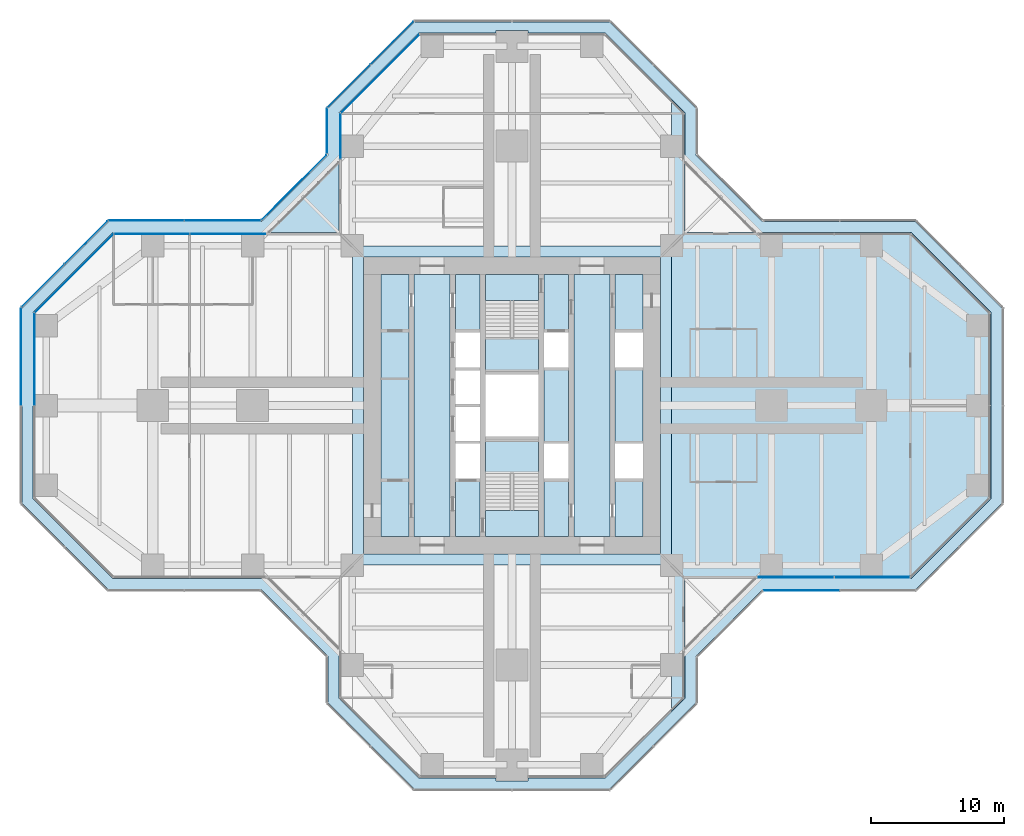
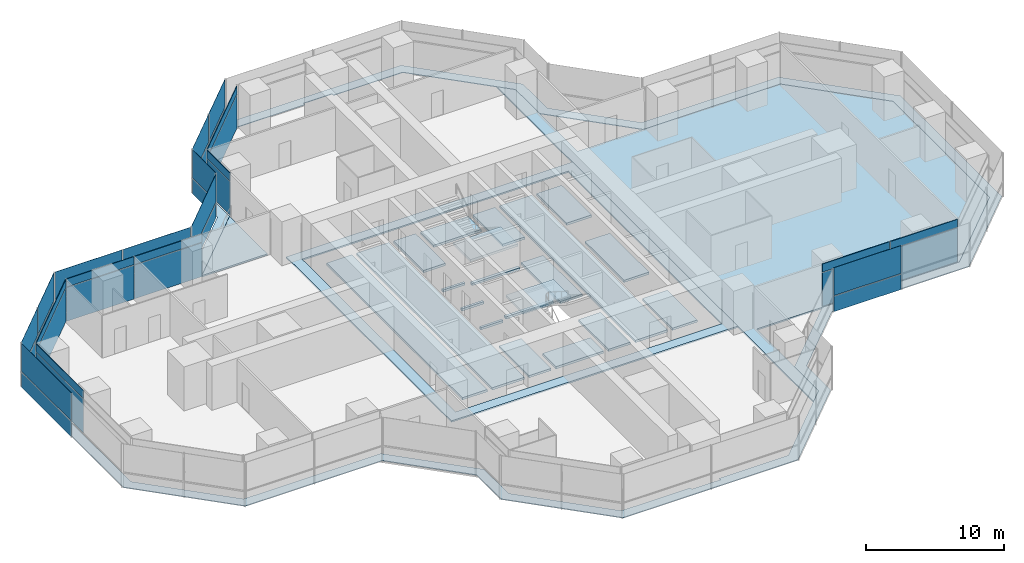
# One storey, part 13 of 19: 37 plates, 8 slabs, 15 elements without a shape of their own.
"""IFC4 building model written with IfcOpenShell, lengths in metres."""

from ifc_helpers import new_model, si_unit, direction, frame, origin, origin_2d, place, context, subcontext, project, spatial, polyline, rectangle, outline, extrude, material, layer, layer_set, type_object, element, aggregate, save


model = new_model("IFC4")

# Units and contexts
model_context = context("Model", 3, precision=1e-05, world=origin(), true_north=direction((0.0, 1.0)))
body_context = subcontext(model_context, "Body", "Model", "MODEL_VIEW")
ifc_project = project(units=[si_unit("LENGTHUNIT", "METRE"), si_unit("AREAUNIT", "SQUARE_METRE"), si_unit("VOLUMEUNIT", "CUBIC_METRE"), si_unit("PLANEANGLEUNIT", "RADIAN"), si_unit("MASSUNIT", "GRAM", prefix="KILO")], contexts=[model_context])

# Site, building, storey
site_placement = place(None, origin())
site = spatial("IfcSite", under=ifc_project, at=site_placement, CompositionType="ELEMENT")
building_placement = place(site_placement, origin())
building = spatial("IfcBuilding", under=site, at=building_placement, Name="Mizan Broadcast Tower", CompositionType="ELEMENT")
storey_placement = place(building_placement, frame((0.0, 0.0, 163.199951171875)))
storey = spatial("IfcBuildingStorey", under=building, at=storey_placement, Name="L37", CompositionType="ELEMENT", Elevation=163.199951171875)

# Plate
ifc_material_1 = material(Name="Aluminium grating", Category="aluminium")
ifc_layer_1 = layer(ifc_material_1, 0.050048828125)
ifc_layer_set_1 = layer_set([ifc_layer_1], Name="Aluminium grating")
plate_type_1 = type_object("IfcPlateType", Name="CAVITY GRATING", PredefinedType="USERDEFINED", material=ifc_layer_set_1)
plate_1_placement = place(storey_placement, frame((0.0, 0.0, -0.050048828125)))
element("IfcPlate", 1, at=plate_1_placement, inside=storey, type_object=plate_type_1, Name="Cavity grating L37", ObjectType="GRATING", PredefinedType="USERDEFINED", context=body_context, shape_type="SweptSolid", body=[
    extrude(outline(polyline([(13.820068359375, -18.839599609375), (18.839599609375, -13.820068359375), (30.339599609375, -13.820068359375), (36.820068359375, -7.339599609375), (36.820068359375, 7.339599609375), (30.339599609375, 13.820068359375), (18.839599609375, 13.820068359375), (13.820068359375, 18.839599609375), (13.820068359375, 22.339599609375), (7.339599609375, 28.820068359375), (-7.339599609375, 28.820068359375), (-13.820068359375, 22.339599609375), (-13.820068359375, 18.839599609375), (-18.839599609375, 13.820068359375), (-30.339599609375, 13.820068359375), (-36.820068359375, 7.339599609375), (-36.820068359375, -7.339599609375), (-30.339599609375, -13.820068359375), (-18.839599609375, -13.820068359375), (-13.820068359375, -18.839599609375), (-13.820068359375, -22.339599609375), (-7.339599609375, -28.820068359375), (7.339599609375, -28.820068359375), (13.820068359375, -22.339599609375), (13.820068359375, -18.839599609375)]), holes=[polyline([(36.0, 7.0), (36.0, -7.0), (30.0, -13.0), (18.5, -13.0), (13.0, -18.5), (13.0, -22.0), (7.0, -28.0), (1.199951171875, -28.0), (1.199951171875, -28.199951171875), (-1.199951171875, -28.199951171875), (-1.199951171875, -28.0), (-7.0, -28.0), (-13.0, -22.0), (-13.0, -18.5), (-18.5, -13.0), (-30.0, -13.0), (-36.0, -7.0), (-36.0, 7.0), (-30.0, 13.0), (-18.5, 13.0), (-13.0, 18.5), (-13.0, 22.0), (-7.0, 28.0), (-1.199951171875, 28.0), (-1.199951171875, 28.199951171875), (1.199951171875, 28.199951171875), (1.199951171875, 28.0), (7.0, 28.0), (13.0, 22.0), (13.0, 18.5), (18.5, 13.0), (30.0, 13.0), (36.0, 7.0)])]), origin(), (0.0, 0.0, 1.0), 0.050048828125),
])

# Slabs
ifc_material_2 = material(Name="Concrete C32/40", Category="concrete")
ifc_layer_2 = layer(ifc_material_2, 0.1298828125)
ifc_layer_set_2 = layer_set([ifc_layer_2], Name="Concrete C32/40")
slab_type_1 = type_object("IfcSlabType", Name="COMPOSITE DECK SLAB 130", PredefinedType="FLOOR", material=ifc_layer_set_2)
slab_1_placement = place(storey_placement, frame((0.0, 0.0, -0.1298828125)))
element("IfcSlab", 2, at=slab_1_placement, inside=storey, type_object=slab_type_1, Name="Floor slab L37 centre", PredefinedType="FLOOR", context=body_context, shape_type="SweptSolid", body=[
    extrude(outline(polyline([(-12.0, -12.0), (12.0, -12.0), (12.0, 12.0), (-12.0, 12.0), (-12.0, -12.0)]), holes=[polyline([(-11.14990234375, 11.14990234375), (11.14990234375, 11.14990234375), (11.14990234375, -11.14990234375), (-11.14990234375, -11.14990234375), (-11.14990234375, 11.14990234375)])]), origin(), (0.0, 0.0, 1.0), 0.1298828125),
])
slab_2_placement = place(storey_placement, frame((0.0, 0.0, -0.1298828125)))
element("IfcSlab", 3, at=slab_2_placement, inside=storey, type_object=slab_type_1, Name="Floor slab L37 east arm", PredefinedType="FLOOR", context=body_context, shape_type="SweptSolid", body=[
    extrude(outline(polyline([(12.0, -23.0), (13.0, -22.0), (13.0, -13.0), (30.0, -13.0), (36.0, -7.0), (36.0, 7.0), (30.0, 13.0), (13.0, 13.0), (13.0, 22.0), (12.0, 23.0), (12.0, -23.0)])), origin(), (0.0, 0.0, 1.0), 0.1298828125),
])
ifc_material_3 = material(Name="Concrete C40/50", Category="concrete")
ifc_layer_3 = layer(ifc_material_3, 0.199951171875)
ifc_layer_set_3 = layer_set([ifc_layer_3], Name="Concrete C40/50")
slab_type_2 = type_object("IfcSlabType", Name="CORE FLOOR 200", PredefinedType="FLOOR", material=ifc_layer_set_3)
slab_3_placement = place(storey_placement, frame((0.0, 0.0, -0.199951171875)))
element("IfcSlab", 4, at=slab_3_placement, inside=storey, type_object=slab_type_2, Name="Core floor L37", PredefinedType="FLOOR", context=body_context, shape_type="SweptSolid", body=[
    extrude(outline(polyline([(-9.85009765625, -9.85009765625), (-7.75, -9.85009765625), (-7.75, 9.85009765625), (-9.85009765625, 9.85009765625), (-9.85009765625, -9.85009765625)])), origin(), (0.0, 0.0, 1.0), 0.199951171875),
    extrude(outline(polyline([(-4.64990234375, 9.85009765625), (-7.35009765625, 9.85009765625), (-7.35009765625, -9.85009765625), (-4.64990234375, -9.85009765625), (-4.64990234375, 9.85009765625)])), origin(), (0.0, 0.0, 1.0), 0.199951171875),
    extrude(outline(polyline([(-4.25, -5.5), (-4.25, -9.85009765625), (-2.39990234375, -9.85009765625), (-2.39990234375, -5.5), (-4.25, -5.5)])), origin(), (0.0, 0.0, 1.0), 0.199951171875),
    extrude(outline(polyline([(-4.25, -2.85009765625), (-2.39990234375, -2.85009765625), (-2.39990234375, -2.64990234375), (-4.25, -2.64990234375), (-4.25, -2.85009765625)])), origin(), (0.0, 0.0, 1.0), 0.199951171875),
    extrude(outline(polyline([(-4.25, -0.10009765625), (-2.39990234375, -0.10009765625), (-2.39990234375, 0.10009765625), (-4.25, 0.10009765625), (-4.25, -0.10009765625)])), origin(), (0.0, 0.0, 1.0), 0.199951171875),
    extrude(outline(polyline([(-4.25, 2.64990234375), (-2.39990234375, 2.64990234375), (-2.39990234375, 2.85009765625), (-4.25, 2.85009765625), (-4.25, 2.64990234375)])), origin(), (0.0, 0.0, 1.0), 0.199951171875),
    extrude(outline(polyline([(-4.25, 5.5), (-2.39990234375, 5.5), (-2.39990234375, 9.85009765625), (-4.25, 9.85009765625), (-4.25, 5.5)])), origin(), (0.0, 0.0, 1.0), 0.199951171875),
    extrude(outline(polyline([(2.0, -2.324951171875), (-2.0, -2.324951171875), (-2.0, -2.574951171875), (2.0, -2.574951171875), (2.0, -2.324951171875)])), origin(), (0.0, 0.0, 1.0), 0.199951171875),
    extrude(outline(polyline([(2.0, 2.574951171875), (-2.0, 2.574951171875), (-2.0, 2.324951171875), (2.0, 2.324951171875), (2.0, 2.574951171875)])), origin(), (0.0, 0.0, 1.0), 0.199951171875),
    extrude(outline(polyline([(4.25, -9.85009765625), (4.25, -5.5), (2.39990234375, -5.5), (2.39990234375, -9.85009765625), (4.25, -9.85009765625)])), origin(), (0.0, 0.0, 1.0), 0.199951171875),
    extrude(outline(polyline([(4.25, -2.85009765625), (4.25, 2.85009765625), (2.39990234375, 2.85009765625), (2.39990234375, -2.85009765625), (4.25, -2.85009765625)])), origin(), (0.0, 0.0, 1.0), 0.199951171875),
    extrude(outline(polyline([(4.25, 5.5), (4.25, 9.85009765625), (2.39990234375, 9.85009765625), (2.39990234375, 5.5), (4.25, 5.5)])), origin(), (0.0, 0.0, 1.0), 0.199951171875),
    extrude(outline(polyline([(4.64990234375, 9.85009765625), (4.64990234375, -9.85009765625), (7.35009765625, -9.85009765625), (7.35009765625, 9.85009765625), (4.64990234375, 9.85009765625)])), origin(), (0.0, 0.0, 1.0), 0.199951171875),
    extrude(outline(polyline([(9.85009765625, -9.85009765625), (9.85009765625, -5.5), (7.75, -5.5), (7.75, -9.85009765625), (9.85009765625, -9.85009765625)])), origin(), (0.0, 0.0, 1.0), 0.199951171875),
    extrude(outline(polyline([(7.75, -2.85009765625), (9.85009765625, -2.85009765625), (9.85009765625, 2.85009765625), (7.75, 2.85009765625), (7.75, -2.85009765625)])), origin(), (0.0, 0.0, 1.0), 0.199951171875),
    extrude(outline(polyline([(9.85009765625, 5.5), (9.85009765625, 9.85009765625), (7.75, 9.85009765625), (7.75, 5.5), (9.85009765625, 5.5)])), origin(), (0.0, 0.0, 1.0), 0.199951171875),
])

# Curtain wall, plates
ifc_material_4 = material(Name="Aluminium framed glazing", Category="aluminium")
curtain_wall_type_1 = type_object("IfcCurtainWallType", Name="INNER SKIN MID ZONE", PredefinedType="USERDEFINED", material=ifc_material_4)
curtain_wall_1_placement = place(storey_placement, origin())
curtain_wall_1 = element("IfcCurtainWall", 5, at=curtain_wall_1_placement, inside=storey, type_object=curtain_wall_type_1, Name="Inner skin mid zone L37 E side", ObjectType="INNER SKIN MID ZONE", PredefinedType="USERDEFINED")
ifc_material_5 = material(Name="Double glazing, clear low-e", Category="glass")
ifc_layer_4 = layer(ifc_material_5, 0.028076171875)
ifc_layer_set_4 = layer_set([ifc_layer_4], Name="Double glazing, clear low-e")
plate_type_2 = type_object("IfcPlateType", Name="INNER SKIN GLAZING UNIT", PredefinedType="CURTAIN_PANEL", material=ifc_layer_set_4)
plate_2_placement = place(storey_placement, frame((21.379638671875, -12.89990234375, 0.0), z_axis=(0.0, 0.0, 1.0), x_axis=(1.0, 0.0, 0.0)))
plate_2 = element("IfcPlate", 6, at=plate_2_placement, type_object=plate_type_2, Name="Inner skin mid zone L37 E side panel 1.1", PredefinedType="CURTAIN_PANEL", context=body_context, shape_type="SweptSolid", body=[
    extrude(rectangle(XDim=5.639404296875, YDim=0.028076171875, at=origin_2d()), origin(), (0.0, 0.0, 1.0), 3.0),
])
plate_3_placement = place(storey_placement, frame((27.078857421875, -12.89990234375, 0.0), z_axis=(0.0, 0.0, 1.0), x_axis=(1.0, 0.0, 0.0)))
plate_3 = element("IfcPlate", 7, at=plate_3_placement, type_object=plate_type_2, Name="Inner skin mid zone L37 E side panel 2.1", PredefinedType="CURTAIN_PANEL", context=body_context, shape_type="SweptSolid", body=[
    extrude(rectangle(XDim=5.639404296875, YDim=0.028076171875, at=origin_2d()), origin(), (0.0, 0.0, 1.0), 3.0),
])

# Curtain wall, plate
curtain_wall_2_placement = place(storey_placement, origin())
curtain_wall_2 = element("IfcCurtainWall", 8, at=curtain_wall_2_placement, inside=storey, type_object=curtain_wall_type_1, Name="Inner skin mid zone L37 N chamfer", ObjectType="INNER SKIN MID ZONE", PredefinedType="USERDEFINED")
plate_4_placement = place(storey_placement, frame((-9.92919921875, 24.92919921875, 0.0), z_axis=(0.0, 0.0, 1.0), x_axis=(-0.707106781187, -0.707106781187, 0.0)))
plate_4 = element("IfcPlate", 9, at=plate_4_placement, type_object=plate_type_2, Name="Inner skin mid zone L37 N chamfer panel 1.1", PredefinedType="CURTAIN_PANEL", context=body_context, shape_type="SweptSolid", body=[
    extrude(rectangle(XDim=8.282470703125, YDim=0.028076171875, at=origin_2d()), origin(), (0.0, 0.0, 1.0), 3.0),
])

curtain_wall_3_placement = place(storey_placement, origin())
curtain_wall_3 = element("IfcCurtainWall", 10, at=curtain_wall_3_placement, inside=storey, type_object=curtain_wall_type_1, Name="Inner skin mid zone L37 N side", ObjectType="INNER SKIN MID ZONE", PredefinedType="USERDEFINED")
plate_5_placement = place(storey_placement, frame((-12.89990234375, 20.229248046875, 0.0), z_axis=(0.0, 0.0, 1.0), x_axis=(0.0, -1.0, 0.0)))
plate_5 = element("IfcPlate", 11, at=plate_5_placement, type_object=plate_type_2, Name="Inner skin mid zone L37 N side panel 1.1", PredefinedType="CURTAIN_PANEL", context=body_context, shape_type="SweptSolid", body=[
    extrude(rectangle(XDim=3.338623046875, YDim=0.028076171875, at=origin_2d()), origin(), (0.0, 0.0, 1.0), 3.0),
])

# Curtain wall, plates
curtain_wall_4_placement = place(storey_placement, origin())
curtain_wall_4 = element("IfcCurtainWall", 12, at=curtain_wall_4_placement, inside=storey, type_object=curtain_wall_type_1, Name="Inner skin mid zone L37 W side", ObjectType="INNER SKIN MID ZONE", PredefinedType="USERDEFINED")
plate_6_placement = place(storey_placement, frame((-21.379638671875, 12.89990234375, 0.0), z_axis=(0.0, 0.0, 1.0), x_axis=(-1.0, 0.0, 0.0)))
plate_6 = element("IfcPlate", 13, at=plate_6_placement, type_object=plate_type_2, Name="Inner skin mid zone L37 W side panel 1.1", PredefinedType="CURTAIN_PANEL", context=body_context, shape_type="SweptSolid", body=[
    extrude(rectangle(XDim=5.639404296875, YDim=0.028076171875, at=origin_2d()), origin(), (0.0, 0.0, 1.0), 3.0),
])
plate_7_placement = place(storey_placement, frame((-27.078857421875, 12.89990234375, 0.0), z_axis=(0.0, 0.0, 1.0), x_axis=(-1.0, 0.0, 0.0)))
plate_7 = element("IfcPlate", 14, at=plate_7_placement, type_object=plate_type_2, Name="Inner skin mid zone L37 W side panel 2.1", PredefinedType="CURTAIN_PANEL", context=body_context, shape_type="SweptSolid", body=[
    extrude(rectangle(XDim=5.639404296875, YDim=0.028076171875, at=origin_2d()), origin(), (0.0, 0.0, 1.0), 3.0),
])

# Curtain wall, plate
curtain_wall_5_placement = place(storey_placement, origin())
curtain_wall_5 = element("IfcCurtainWall", 15, at=curtain_wall_5_placement, inside=storey, type_object=curtain_wall_type_1, Name="Inner skin mid zone L37 W chamfer", ObjectType="INNER SKIN MID ZONE", PredefinedType="USERDEFINED")
plate_8_placement = place(storey_placement, frame((-32.92919921875, 9.92919921875, 0.0), z_axis=(0.0, 0.0, 1.0), x_axis=(-0.707106781187, -0.707106781187, 0.0)))
plate_8 = element("IfcPlate", 16, at=plate_8_placement, type_object=plate_type_2, Name="Inner skin mid zone L37 W chamfer panel 1.1", PredefinedType="CURTAIN_PANEL", context=body_context, shape_type="SweptSolid", body=[
    extrude(rectangle(XDim=8.282470703125, YDim=0.028076171875, at=origin_2d()), origin(), (0.0, 0.0, 1.0), 3.0),
])

curtain_wall_6_placement = place(storey_placement, origin())
curtain_wall_6 = element("IfcCurtainWall", 17, at=curtain_wall_6_placement, inside=storey, type_object=curtain_wall_type_1, Name="Inner skin mid zone L37 W end", ObjectType="INNER SKIN MID ZONE", PredefinedType="USERDEFINED")
plate_9_placement = place(storey_placement, frame((-35.89990234375, 3.46435546875, 0.0), z_axis=(0.0, 0.0, 1.0), x_axis=(0.0, -1.0, 0.0)))
plate_9 = element("IfcPlate", 18, at=plate_9_placement, type_object=plate_type_2, Name="Inner skin mid zone L37 W end panel 1.1", PredefinedType="CURTAIN_PANEL", context=body_context, shape_type="SweptSolid", body=[
    extrude(rectangle(XDim=6.86865234375, YDim=0.028076171875, at=origin_2d()), origin(), (0.0, 0.0, 1.0), 3.0),
])

# Plate
ifc_material_6 = material(Name="Insulated aluminium spandrel panel, pale anodised", Category="aluminium")
ifc_layer_5 = layer(ifc_material_6, 0.050048828125)
ifc_layer_set_5 = layer_set([ifc_layer_5], Name="Insulated aluminium spandrel panel, pale anodised")
plate_type_3 = type_object("IfcPlateType", Name="INNER SKIN SPANDREL PANEL", PredefinedType="CURTAIN_PANEL", material=ifc_layer_set_5)
plate_10_placement = place(storey_placement, frame((21.379638671875, -12.89990234375, 3.06005859375), z_axis=(0.0, 0.0, 1.0), x_axis=(1.0, 0.0, 0.0)))
plate_10 = element("IfcPlate", 19, at=plate_10_placement, type_object=plate_type_3, Name="Inner skin mid zone L37 E side panel 1.2", PredefinedType="CURTAIN_PANEL", context=body_context, shape_type="SweptSolid", body=[
    extrude(rectangle(XDim=5.639404296875, YDim=0.050048828125, at=origin_2d()), origin(), (0.0, 0.0, 1.0), 0.7099609375),
])

plate_11_placement = place(storey_placement, frame((27.078857421875, -12.89990234375, 3.06005859375), z_axis=(0.0, 0.0, 1.0), x_axis=(1.0, 0.0, 0.0)))
plate_11 = element("IfcPlate", 20, at=plate_11_placement, type_object=plate_type_3, Name="Inner skin mid zone L37 E side panel 2.2", PredefinedType="CURTAIN_PANEL", context=body_context, shape_type="SweptSolid", body=[
    extrude(rectangle(XDim=5.639404296875, YDim=0.050048828125, at=origin_2d()), origin(), (0.0, 0.0, 1.0), 0.7099609375),
])

aggregate(curtain_wall_1, [plate_2, plate_10, plate_3, plate_11])

plate_12_placement = place(storey_placement, frame((-9.92919921875, 24.92919921875, 3.06005859375), z_axis=(0.0, 0.0, 1.0), x_axis=(-0.707106781187, -0.707106781187, 0.0)))
plate_12 = element("IfcPlate", 21, at=plate_12_placement, type_object=plate_type_3, Name="Inner skin mid zone L37 N chamfer panel 1.2", PredefinedType="CURTAIN_PANEL", context=body_context, shape_type="SweptSolid", body=[
    extrude(rectangle(XDim=8.282470703125, YDim=0.050048828125, at=origin_2d()), origin(), (0.0, 0.0, 1.0), 0.7099609375),
])

aggregate(curtain_wall_2, [plate_4, plate_12])

plate_13_placement = place(storey_placement, frame((-12.89990234375, 20.229248046875, 3.06005859375), z_axis=(0.0, 0.0, 1.0), x_axis=(0.0, -1.0, 0.0)))
plate_13 = element("IfcPlate", 22, at=plate_13_placement, type_object=plate_type_3, Name="Inner skin mid zone L37 N side panel 1.2", PredefinedType="CURTAIN_PANEL", context=body_context, shape_type="SweptSolid", body=[
    extrude(rectangle(XDim=3.338623046875, YDim=0.050048828125, at=origin_2d()), origin(), (0.0, 0.0, 1.0), 0.7099609375),
])

aggregate(curtain_wall_3, [plate_5, plate_13])

plate_14_placement = place(storey_placement, frame((-21.379638671875, 12.89990234375, 3.06005859375), z_axis=(0.0, 0.0, 1.0), x_axis=(-1.0, 0.0, 0.0)))
plate_14 = element("IfcPlate", 23, at=plate_14_placement, type_object=plate_type_3, Name="Inner skin mid zone L37 W side panel 1.2", PredefinedType="CURTAIN_PANEL", context=body_context, shape_type="SweptSolid", body=[
    extrude(rectangle(XDim=5.639404296875, YDim=0.050048828125, at=origin_2d()), origin(), (0.0, 0.0, 1.0), 0.7099609375),
])

plate_15_placement = place(storey_placement, frame((-27.078857421875, 12.89990234375, 3.06005859375), z_axis=(0.0, 0.0, 1.0), x_axis=(-1.0, 0.0, 0.0)))
plate_15 = element("IfcPlate", 24, at=plate_15_placement, type_object=plate_type_3, Name="Inner skin mid zone L37 W side panel 2.2", PredefinedType="CURTAIN_PANEL", context=body_context, shape_type="SweptSolid", body=[
    extrude(rectangle(XDim=5.639404296875, YDim=0.050048828125, at=origin_2d()), origin(), (0.0, 0.0, 1.0), 0.7099609375),
])

aggregate(curtain_wall_4, [plate_6, plate_14, plate_7, plate_15])

plate_16_placement = place(storey_placement, frame((-32.92919921875, 9.92919921875, 3.06005859375), z_axis=(0.0, 0.0, 1.0), x_axis=(-0.707106781187, -0.707106781187, 0.0)))
plate_16 = element("IfcPlate", 25, at=plate_16_placement, type_object=plate_type_3, Name="Inner skin mid zone L37 W chamfer panel 1.2", PredefinedType="CURTAIN_PANEL", context=body_context, shape_type="SweptSolid", body=[
    extrude(rectangle(XDim=8.282470703125, YDim=0.050048828125, at=origin_2d()), origin(), (0.0, 0.0, 1.0), 0.7099609375),
])

aggregate(curtain_wall_5, [plate_8, plate_16])

plate_17_placement = place(storey_placement, frame((-35.89990234375, 3.46435546875, 3.06005859375), z_axis=(0.0, 0.0, 1.0), x_axis=(0.0, -1.0, 0.0)))
plate_17 = element("IfcPlate", 26, at=plate_17_placement, type_object=plate_type_3, Name="Inner skin mid zone L37 W end panel 1.2", PredefinedType="CURTAIN_PANEL", context=body_context, shape_type="SweptSolid", body=[
    extrude(rectangle(XDim=6.86865234375, YDim=0.050048828125, at=origin_2d()), origin(), (0.0, 0.0, 1.0), 0.7099609375),
])

aggregate(curtain_wall_6, [plate_9, plate_17])

# Curtain wall, plates
ifc_material_7 = material(Name="Aluminium framed glazing", Category="aluminium")
curtain_wall_type_2 = type_object("IfcCurtainWallType", Name="OUTER SKIN", PredefinedType="USERDEFINED", material=ifc_material_7)
curtain_wall_7_placement = place(storey_placement, origin())
curtain_wall_7 = element("IfcCurtainWall", 27, at=curtain_wall_7_placement, inside=storey, type_object=curtain_wall_type_2, Name="Outer skin L37 N chamfer", ObjectType="OUTER SKIN", PredefinedType="USERDEFINED")
ifc_material_8 = material(Name="Laminated clear glass", Category="glass")
ifc_layer_6 = layer(ifc_material_8, 0.02001953125)
ifc_layer_set_6 = layer_set([ifc_layer_6], Name="Laminated clear glass")
plate_type_4 = type_object("IfcPlateType", Name="OUTER SKIN CLEAR GLASS", PredefinedType="CURTAIN_PANEL", material=ifc_layer_set_6)
plate_18_placement = place(storey_placement, frame((-9.018798828125, 27.254150390625, 0.0), z_axis=(0.0, 0.0, 1.0), x_axis=(-0.707106781187, -0.707106781187, 0.0)))
plate_18 = element("IfcPlate", 28, at=plate_18_placement, type_object=plate_type_4, Name="Outer skin L37 N chamfer panel 1.1", PredefinedType="CURTAIN_PANEL", context=body_context, shape_type="SweptSolid", body=[
    extrude(rectangle(XDim=4.495361328125, YDim=0.02001953125, at=origin_2d()), origin(), (0.0, 0.0, 1.0), 1.3701171875),
])
plate_19_placement = place(storey_placement, frame((-9.018798828125, 27.254150390625, 1.43017578125), z_axis=(0.0, 0.0, 1.0), x_axis=(-0.707106781187, -0.707106781187, 0.0)))
plate_19 = element("IfcPlate", 29, at=plate_19_placement, type_object=plate_type_4, Name="Outer skin L37 N chamfer panel 1.2", PredefinedType="CURTAIN_PANEL", context=body_context, shape_type="SweptSolid", body=[
    extrude(rectangle(XDim=4.495361328125, YDim=0.02001953125, at=origin_2d()), origin(), (0.0, 0.0, 1.0), 2.469970703125),
])

curtain_wall_8_placement = place(storey_placement, origin())
curtain_wall_8 = element("IfcCurtainWall", 30, at=curtain_wall_8_placement, inside=storey, type_object=curtain_wall_type_2, Name="Outer skin L37 N side", ObjectType="OUTER SKIN", PredefinedType="USERDEFINED")
plate_20_placement = place(storey_placement, frame((-13.89990234375, 20.622802734375, 0.0), z_axis=(0.0, 0.0, 1.0), x_axis=(0.0, -1.0, 0.0)))
plate_20 = element("IfcPlate", 31, at=plate_20_placement, type_object=plate_type_4, Name="Outer skin L37 N side panel 1.1", PredefinedType="CURTAIN_PANEL", context=body_context, shape_type="SweptSolid", body=[
    extrude(rectangle(XDim=3.340087890625, YDim=0.02001953125, at=origin_2d()), origin(), (0.0, 0.0, 1.0), 1.3701171875),
])
plate_21_placement = place(storey_placement, frame((-13.89990234375, 20.622802734375, 1.43017578125), z_axis=(0.0, 0.0, 1.0), x_axis=(0.0, -1.0, 0.0)))
plate_21 = element("IfcPlate", 32, at=plate_21_placement, type_object=plate_type_4, Name="Outer skin L37 N side panel 1.2", PredefinedType="CURTAIN_PANEL", context=body_context, shape_type="SweptSolid", body=[
    extrude(rectangle(XDim=3.340087890625, YDim=0.02001953125, at=origin_2d()), origin(), (0.0, 0.0, 1.0), 2.469970703125),
])
aggregate(curtain_wall_8, [plate_20, plate_21])

curtain_wall_9_placement = place(storey_placement, origin())
curtain_wall_9 = element("IfcCurtainWall", 33, at=curtain_wall_9_placement, inside=storey, type_object=curtain_wall_type_2, Name="Outer skin L37 W chamfer", ObjectType="OUTER SKIN", PredefinedType="USERDEFINED")
plate_22_placement = place(storey_placement, frame((-16.386474609375, 16.386474609375, 0.0), z_axis=(0.0, 0.0, 1.0), x_axis=(-0.707106781187, -0.707106781187, 0.0)))
plate_22 = element("IfcPlate", 34, at=plate_22_placement, type_object=plate_type_4, Name="Outer skin L37 W chamfer panel 1.1", PredefinedType="CURTAIN_PANEL", context=body_context, shape_type="SweptSolid", body=[
    extrude(rectangle(XDim=6.87255859375, YDim=0.02001953125, at=origin_2d()), origin(), (0.0, 0.0, 1.0), 1.3701171875),
])
plate_23_placement = place(storey_placement, frame((-16.386474609375, 16.386474609375, 1.43017578125), z_axis=(0.0, 0.0, 1.0), x_axis=(-0.707106781187, -0.707106781187, 0.0)))
plate_23 = element("IfcPlate", 35, at=plate_23_placement, type_object=plate_type_4, Name="Outer skin L37 W chamfer panel 1.2", PredefinedType="CURTAIN_PANEL", context=body_context, shape_type="SweptSolid", body=[
    extrude(rectangle(XDim=6.87255859375, YDim=0.02001953125, at=origin_2d()), origin(), (0.0, 0.0, 1.0), 2.469970703125),
])
aggregate(curtain_wall_9, [plate_22, plate_23])

curtain_wall_10_placement = place(storey_placement, origin())
curtain_wall_10 = element("IfcCurtainWall", 36, at=curtain_wall_10_placement, inside=storey, type_object=curtain_wall_type_2, Name="Outer skin L37 W side", ObjectType="OUTER SKIN", PredefinedType="USERDEFINED")
plate_24_placement = place(storey_placement, frame((-21.767822265625, 13.89990234375, 0.0), z_axis=(0.0, 0.0, 1.0), x_axis=(-1.0, 0.0, 0.0)))
plate_24 = element("IfcPlate", 37, at=plate_24_placement, type_object=plate_type_4, Name="Outer skin L37 W side panel 1.1", PredefinedType="CURTAIN_PANEL", context=body_context, shape_type="SweptSolid", body=[
    extrude(rectangle(XDim=5.6298828125, YDim=0.02001953125, at=origin_2d()), origin(), (0.0, 0.0, 1.0), 1.3701171875),
])
plate_25_placement = place(storey_placement, frame((-21.767822265625, 13.89990234375, 1.43017578125), z_axis=(0.0, 0.0, 1.0), x_axis=(-1.0, 0.0, 0.0)))
plate_25 = element("IfcPlate", 38, at=plate_25_placement, type_object=plate_type_4, Name="Outer skin L37 W side panel 1.2", PredefinedType="CURTAIN_PANEL", context=body_context, shape_type="SweptSolid", body=[
    extrude(rectangle(XDim=5.6298828125, YDim=0.02001953125, at=origin_2d()), origin(), (0.0, 0.0, 1.0), 2.469970703125),
])
plate_26_placement = place(storey_placement, frame((-27.477783203125, 13.89990234375, 0.0), z_axis=(0.0, 0.0, 1.0), x_axis=(-1.0, 0.0, 0.0)))
plate_26 = element("IfcPlate", 39, at=plate_26_placement, type_object=plate_type_4, Name="Outer skin L37 W side panel 2.1", PredefinedType="CURTAIN_PANEL", context=body_context, shape_type="SweptSolid", body=[
    extrude(rectangle(XDim=5.6298828125, YDim=0.02001953125, at=origin_2d()), origin(), (0.0, 0.0, 1.0), 1.3701171875),
])
plate_27_placement = place(storey_placement, frame((-27.477783203125, 13.89990234375, 1.43017578125), z_axis=(0.0, 0.0, 1.0), x_axis=(-1.0, 0.0, 0.0)))
plate_27 = element("IfcPlate", 40, at=plate_27_placement, type_object=plate_type_4, Name="Outer skin L37 W side panel 2.2", PredefinedType="CURTAIN_PANEL", context=body_context, shape_type="SweptSolid", body=[
    extrude(rectangle(XDim=5.6298828125, YDim=0.02001953125, at=origin_2d()), origin(), (0.0, 0.0, 1.0), 2.469970703125),
])
aggregate(curtain_wall_10, [plate_24, plate_25, plate_26, plate_27])

curtain_wall_11_placement = place(storey_placement, origin())
curtain_wall_11 = element("IfcCurtainWall", 41, at=curtain_wall_11_placement, inside=storey, type_object=curtain_wall_type_2, Name="Outer skin L37 W chamfer", ObjectType="OUTER SKIN", PredefinedType="USERDEFINED")
plate_28_placement = place(storey_placement, frame((-32.018798828125, 12.254150390625, 0.0), z_axis=(0.0, 0.0, 1.0), x_axis=(-0.707106781187, -0.707106781187, 0.0)))
plate_28 = element("IfcPlate", 42, at=plate_28_placement, type_object=plate_type_4, Name="Outer skin L37 W chamfer panel 1.1", PredefinedType="CURTAIN_PANEL", context=body_context, shape_type="SweptSolid", body=[
    extrude(rectangle(XDim=4.495361328125, YDim=0.02001953125, at=origin_2d()), origin(), (0.0, 0.0, 1.0), 1.3701171875),
])
plate_29_placement = place(storey_placement, frame((-32.018798828125, 12.254150390625, 1.43017578125), z_axis=(0.0, 0.0, 1.0), x_axis=(-0.707106781187, -0.707106781187, 0.0)))
plate_29 = element("IfcPlate", 43, at=plate_29_placement, type_object=plate_type_4, Name="Outer skin L37 W chamfer panel 1.2", PredefinedType="CURTAIN_PANEL", context=body_context, shape_type="SweptSolid", body=[
    extrude(rectangle(XDim=4.495361328125, YDim=0.02001953125, at=origin_2d()), origin(), (0.0, 0.0, 1.0), 2.469970703125),
])

curtain_wall_12_placement = place(storey_placement, origin())
curtain_wall_12 = element("IfcCurtainWall", 44, at=curtain_wall_12_placement, inside=storey, type_object=curtain_wall_type_2, Name="Outer skin L37 W end", ObjectType="OUTER SKIN", PredefinedType="USERDEFINED")
plate_30_placement = place(storey_placement, frame((-36.89990234375, 3.66650390625, 0.0), z_axis=(0.0, 0.0, 1.0), x_axis=(0.0, -1.0, 0.0)))
plate_30 = element("IfcPlate", 45, at=plate_30_placement, type_object=plate_type_4, Name="Outer skin L37 W end panel 1.1", PredefinedType="CURTAIN_PANEL", context=body_context, shape_type="SweptSolid", body=[
    extrude(rectangle(XDim=7.252685546875, YDim=0.02001953125, at=origin_2d()), origin(), (0.0, 0.0, 1.0), 1.3701171875),
])
plate_31_placement = place(storey_placement, frame((-36.89990234375, 3.66650390625, 1.43017578125), z_axis=(0.0, 0.0, 1.0), x_axis=(0.0, -1.0, 0.0)))
plate_31 = element("IfcPlate", 46, at=plate_31_placement, type_object=plate_type_4, Name="Outer skin L37 W end panel 1.2", PredefinedType="CURTAIN_PANEL", context=body_context, shape_type="SweptSolid", body=[
    extrude(rectangle(XDim=7.252685546875, YDim=0.02001953125, at=origin_2d()), origin(), (0.0, 0.0, 1.0), 2.469970703125),
])
aggregate(curtain_wall_12, [plate_30, plate_31])

curtain_wall_13_placement = place(storey_placement, origin())
curtain_wall_13 = element("IfcCurtainWall", 47, at=curtain_wall_13_placement, inside=storey, type_object=curtain_wall_type_2, Name="Outer skin L37 E side", ObjectType="OUTER SKIN", PredefinedType="USERDEFINED")
plate_32_placement = place(storey_placement, frame((21.767822265625, -13.89990234375, 0.0), z_axis=(0.0, 0.0, 1.0), x_axis=(1.0, 0.0, 0.0)))
plate_32 = element("IfcPlate", 48, at=plate_32_placement, type_object=plate_type_4, Name="Outer skin L37 E side panel 1.1", PredefinedType="CURTAIN_PANEL", context=body_context, shape_type="SweptSolid", body=[
    extrude(rectangle(XDim=5.6298828125, YDim=0.02001953125, at=origin_2d()), origin(), (0.0, 0.0, 1.0), 1.3701171875),
])
plate_33_placement = place(storey_placement, frame((21.767822265625, -13.89990234375, 1.43017578125), z_axis=(0.0, 0.0, 1.0), x_axis=(1.0, 0.0, 0.0)))
plate_33 = element("IfcPlate", 49, at=plate_33_placement, type_object=plate_type_4, Name="Outer skin L37 E side panel 1.2", PredefinedType="CURTAIN_PANEL", context=body_context, shape_type="SweptSolid", body=[
    extrude(rectangle(XDim=5.6298828125, YDim=0.02001953125, at=origin_2d()), origin(), (0.0, 0.0, 1.0), 2.469970703125),
])
aggregate(curtain_wall_13, [plate_32, plate_33])

# Plate
ifc_material_9 = material(Name="Perforated aluminium, pale anodised", Category="aluminium")
ifc_layer_7 = layer(ifc_material_9, 0.011962890625)
ifc_layer_set_7 = layer_set([ifc_layer_7], Name="Perforated aluminium, pale anodised")
plate_type_5 = type_object("IfcPlateType", Name="OUTER SKIN PERFORATED SCREEN", PredefinedType="USERDEFINED", material=ifc_layer_set_7)
plate_34_placement = place(storey_placement, frame((-12.254150390625, 24.018798828125, 0.0), z_axis=(0.0, 0.0, 1.0), x_axis=(-0.707106781187, -0.707106781187, 0.0)))
plate_34 = element("IfcPlate", 50, at=plate_34_placement, type_object=plate_type_5, Name="Outer skin L37 N chamfer panel 2.1", ObjectType="SCREEN", PredefinedType="USERDEFINED", context=body_context, shape_type="SweptSolid", body=[
    extrude(rectangle(XDim=4.495361328125, YDim=0.011962890625, at=origin_2d()), origin(), (0.0, 0.0, 1.0), 1.3701171875),
])

plate_35_placement = place(storey_placement, frame((-12.254150390625, 24.018798828125, 1.43017578125), z_axis=(0.0, 0.0, 1.0), x_axis=(-0.707106781187, -0.707106781187, 0.0)))
plate_35 = element("IfcPlate", 51, at=plate_35_placement, type_object=plate_type_5, Name="Outer skin L37 N chamfer panel 2.2", ObjectType="SCREEN", PredefinedType="USERDEFINED", context=body_context, shape_type="SweptSolid", body=[
    extrude(rectangle(XDim=4.495361328125, YDim=0.011962890625, at=origin_2d()), origin(), (0.0, 0.0, 1.0), 2.469970703125),
])

aggregate(curtain_wall_7, [plate_18, plate_19, plate_34, plate_35])

plate_36_placement = place(storey_placement, frame((-35.254150390625, 9.018798828125, 0.0), z_axis=(0.0, 0.0, 1.0), x_axis=(-0.707106781187, -0.707106781187, 0.0)))
plate_36 = element("IfcPlate", 52, at=plate_36_placement, type_object=plate_type_5, Name="Outer skin L37 W chamfer panel 2.1", ObjectType="SCREEN", PredefinedType="USERDEFINED", context=body_context, shape_type="SweptSolid", body=[
    extrude(rectangle(XDim=4.495361328125, YDim=0.011962890625, at=origin_2d()), origin(), (0.0, 0.0, 1.0), 1.3701171875),
])

plate_37_placement = place(storey_placement, frame((-35.254150390625, 9.018798828125, 1.43017578125), z_axis=(0.0, 0.0, 1.0), x_axis=(-0.707106781187, -0.707106781187, 0.0)))
plate_37 = element("IfcPlate", 53, at=plate_37_placement, type_object=plate_type_5, Name="Outer skin L37 W chamfer panel 2.2", ObjectType="SCREEN", PredefinedType="USERDEFINED", context=body_context, shape_type="SweptSolid", body=[
    extrude(rectangle(XDim=4.495361328125, YDim=0.011962890625, at=origin_2d()), origin(), (0.0, 0.0, 1.0), 2.469970703125),
])

aggregate(curtain_wall_11, [plate_28, plate_29, plate_36, plate_37])

# Stair, slabs
ifc_material_10 = material(Name="Concrete C40/50", Category="concrete")
stair_type = type_object("IfcStairType", Name="EXIT STAIR", PredefinedType="HALF_TURN_STAIR", material=ifc_material_10)
stair_1_placement = place(storey_placement, origin())
stair_1 = element("IfcStair", 54, at=stair_1_placement, inside=storey, type_object=stair_type, Name="Stair A L37", PredefinedType="HALF_TURN_STAIR")
ifc_material_11 = material(Name="Concrete C40/50", Category="concrete")
ifc_layer_8 = layer(ifc_material_11, 0.199951171875)
ifc_layer_set_8 = layer_set([ifc_layer_8], Name="Concrete C40/50")
slab_type_3 = type_object("IfcSlabType", Name="STAIR LANDING 200", PredefinedType="LANDING", material=ifc_layer_set_8)
slab_4_placement = place(storey_placement, frame((0.0, 0.0, -0.199951171875)))
slab_4 = element("IfcSlab", 55, at=slab_4_placement, type_object=slab_type_3, Name="A landing 1", PredefinedType="LANDING", context=body_context, shape_type="SweptSolid", body=[
    extrude(outline(polyline([(-2.0, -9.85009765625), (-2.0, -7.89990234375), (2.0, -7.89990234375), (2.0, -9.85009765625), (-2.0, -9.85009765625)])), origin(), (0.0, 0.0, 1.0), 0.199951171875),
])
slab_5_placement = place(storey_placement, frame((0.0, 0.0, 1.75)))
slab_5 = element("IfcSlab", 56, at=slab_5_placement, type_object=slab_type_3, Name="A landing 2", PredefinedType="LANDING", context=body_context, shape_type="SweptSolid", body=[
    extrude(outline(polyline([(-2.0, -5.10009765625), (-2.0, -2.574951171875), (2.0, -2.574951171875), (2.0, -5.10009765625), (-2.0, -5.10009765625)])), origin(), (0.0, 0.0, 1.0), 0.199951171875),
])
aggregate(stair_1, [slab_4, slab_5])

stair_2_placement = place(storey_placement, origin())
stair_2 = element("IfcStair", 57, at=stair_2_placement, inside=storey, type_object=stair_type, Name="Stair B L37", PredefinedType="HALF_TURN_STAIR")
slab_6_placement = place(storey_placement, frame((0.0, 0.0, -0.199951171875)))
slab_6 = element("IfcSlab", 58, at=slab_6_placement, type_object=slab_type_3, Name="B landing 1", PredefinedType="LANDING", context=body_context, shape_type="SweptSolid", body=[
    extrude(outline(polyline([(2.0, 9.85009765625), (2.0, 7.89990234375), (-2.0, 7.89990234375), (-2.0, 9.85009765625), (2.0, 9.85009765625)])), origin(), (0.0, 0.0, 1.0), 0.199951171875),
])
slab_7_placement = place(storey_placement, frame((0.0, 0.0, 1.75)))
slab_7 = element("IfcSlab", 59, at=slab_7_placement, type_object=slab_type_3, Name="B landing 2", PredefinedType="LANDING", context=body_context, shape_type="SweptSolid", body=[
    extrude(outline(polyline([(2.0, 5.10009765625), (2.0, 2.574951171875), (-2.0, 2.574951171875), (-2.0, 5.10009765625), (2.0, 5.10009765625)])), origin(), (0.0, 0.0, 1.0), 0.199951171875),
])
aggregate(stair_2, [slab_6, slab_7])

# Slab
ifc_material_12 = material(Name="Concrete C32/40", Category="concrete")
ifc_layer_9 = layer(ifc_material_12, 0.1298828125)
ifc_layer_set_9 = layer_set([ifc_layer_9], Name="Concrete C32/40")
slab_type_4 = type_object("IfcSlabType", Name="WINTER GARDEN SLAB 130", PredefinedType="FLOOR", material=ifc_layer_set_9)
slab_8_placement = place(storey_placement, frame((0.0, 0.0, -0.1298828125)))
element("IfcSlab", 60, at=slab_8_placement, inside=storey, type_object=slab_type_4, Name="Winter garden slab L37 N", PredefinedType="FLOOR", context=body_context, shape_type="SweptSolid", body=[
    extrude(outline(polyline([(-13.0, 13.0), (-13.0, 18.5), (-18.5, 13.0), (-13.0, 13.0)])), origin(), (0.0, 0.0, 1.0), 0.1298828125),
])

save(model, "model.ifc")
